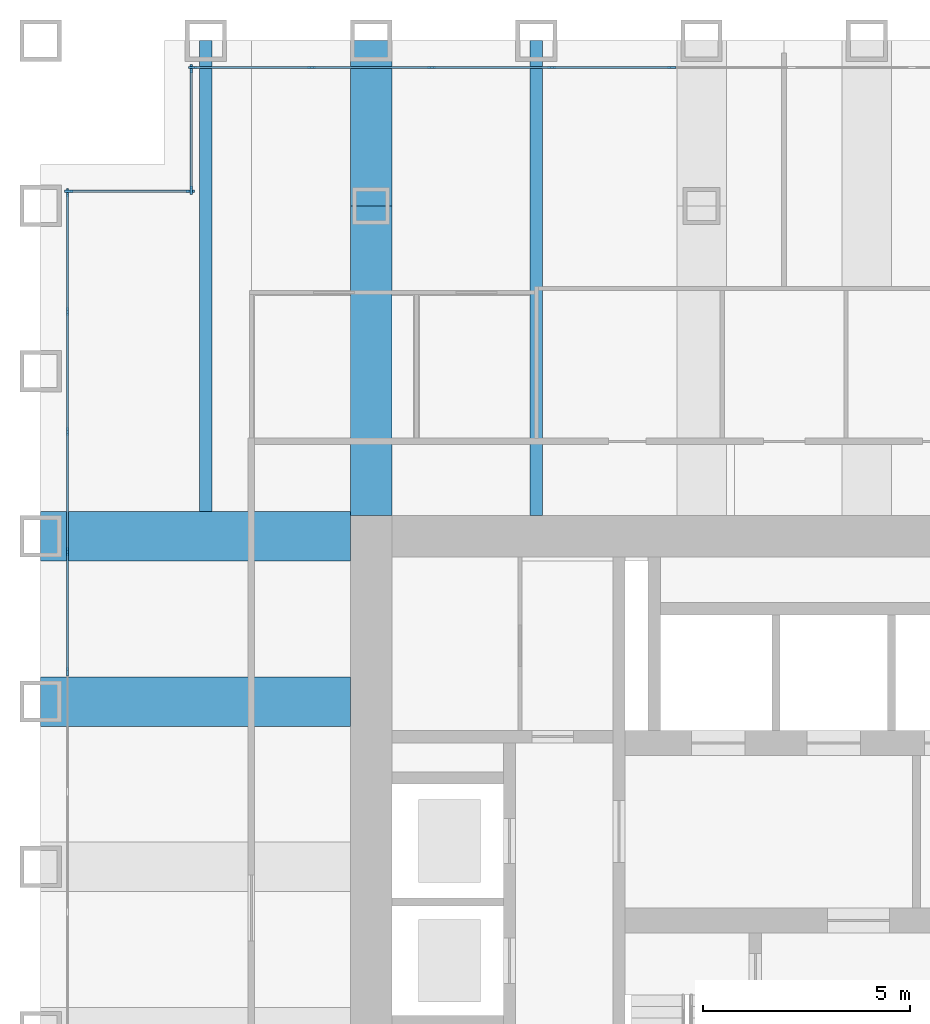
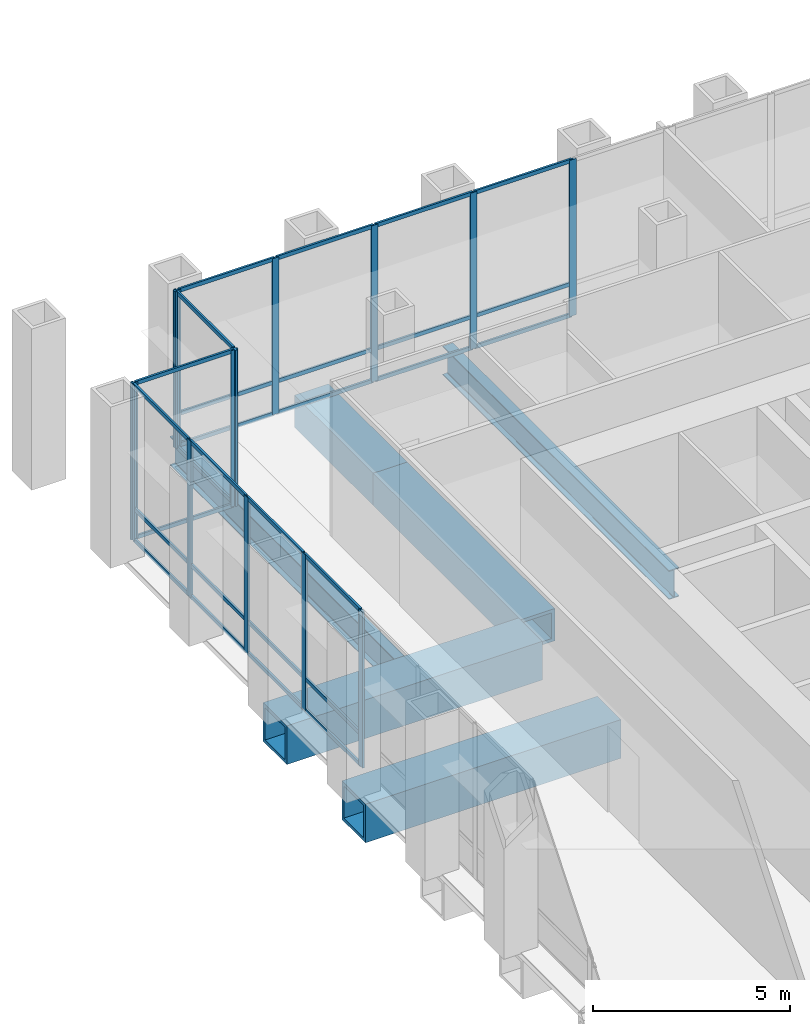
# One storey, part 7 of 16: 42 members, 6 beams, 4 elements without a shape of their own.
"""IFC4 building model written with IfcOpenShell, lengths in metres."""

from ifc_helpers import new_model, si_unit, direction, frame, origin, origin_2d, place, context, subcontext, project, spatial, rectangle, hollow_rectangle, i_section, extrude, material, material_profile, profile_set, type_object, element, aggregate, save


model = new_model("IFC4")

# Units and contexts
model_context = context("Model", 3, precision=1e-05, world=origin(), true_north=direction((0.0, 1.0)))
body_context = subcontext(model_context, "Body", "Model", "MODEL_VIEW")
ifc_project = project(units=[si_unit("LENGTHUNIT", "METRE"), si_unit("AREAUNIT", "SQUARE_METRE"), si_unit("VOLUMEUNIT", "CUBIC_METRE"), si_unit("PLANEANGLEUNIT", "RADIAN"), si_unit("MASSUNIT", "GRAM", prefix="KILO")], contexts=[model_context])

# Site, building, storey
site_placement = place(None, origin())
site = spatial("IfcSite", under=ifc_project, at=site_placement, CompositionType="ELEMENT")
building_placement = place(site_placement, origin())
building = spatial("IfcBuilding", under=site, at=building_placement, Name="Rimbunsela Tower", CompositionType="ELEMENT")
storey_placement = place(building_placement, frame((0.0, 0.0, 76.39990234375)))
storey = spatial("IfcBuildingStorey", under=building, at=storey_placement, Name="L18", CompositionType="ELEMENT", Elevation=76.39990234375)

# Beams
ifc_material_1 = material(Name="Steel BJ 55 (fy 410 MPa)", Category="steel")
ifc_material_profile_1 = material_profile(ifc_material_1, hollow_rectangle(XDim=1.0, YDim=1.0, WallThickness=0.10009765625, at=origin_2d()), Name="BOX 1000x1000x100")
ifc_profile_set_1 = profile_set([ifc_material_profile_1], Name="Steel BJ 55 (fy 410 MPa)")
beam_type_1 = type_object("IfcBeamType", Name="Beam BOX 1000x1000x100", PredefinedType="BEAM", material=ifc_profile_set_1)
beam_1_placement = place(storey_placement, frame((18.0, 36.5, -0.64990234375), z_axis=(0.0, 1.0, 0.0), x_axis=(-1.0, 0.0, 0.0)))
element("IfcBeam", 1, at=beam_1_placement, inside=storey, type_object=beam_type_1, Name="Beam B3 L18", PredefinedType="BEAM", context=body_context, shape_type="SweptSolid", body=[
    extrude(hollow_rectangle(XDim=1.0, YDim=1.0, WallThickness=0.10009765625, at=origin_2d()), origin(), (0.0, 0.0, 1.0), 7.5),
])
beam_2_placement = place(storey_placement, frame((18.0, 44.0, -0.64990234375), z_axis=(0.0, 1.0, 0.0), x_axis=(-1.0, 0.0, 0.0)))
element("IfcBeam", 2, at=beam_2_placement, inside=storey, type_object=beam_type_1, Name="Beam B3 L18", PredefinedType="BEAM", context=body_context, shape_type="SweptSolid", body=[
    extrude(hollow_rectangle(XDim=1.0, YDim=1.0, WallThickness=0.10009765625, at=origin_2d()), origin(), (0.0, 0.0, 1.0), 4.0),
])
ifc_material_2 = material(Name="Steel BJ 55 (fy 410 MPa)", Category="steel")
ifc_material_profile_2 = material_profile(ifc_material_2, hollow_rectangle(XDim=1.199951171875, YDim=1.199951171875, WallThickness=0.10009765625, at=origin_2d()), Name="BOX 1200x1200x100")
ifc_profile_set_2 = profile_set([ifc_material_profile_2], Name="Steel BJ 55 (fy 410 MPa)")
beam_type_2 = type_object("IfcBeamType", Name="Beam BOX 1200x1200x100", PredefinedType="BEAM", material=ifc_profile_set_2)
for number, where, z_axis, x_axis, name in (
    (3, (10.0, 32.0, -0.75), (1.0, 0.0, 0.0), (0.0, 1.0, 0.0), "Beam B5 L18"),
    (4, (10.0, 36.0, -0.75), (1.0, 0.0, 0.0), (0.0, 1.0, 0.0), "Beam B5 L18"),
):
    element("IfcBeam", number, at=place(storey_placement, frame(where, z_axis=z_axis, x_axis=x_axis)), inside=storey, type_object=beam_type_2, Name=name, PredefinedType="BEAM", context=body_context, shape_type="SweptSolid", body=[
        extrude(hollow_rectangle(XDim=1.199951171875, YDim=1.199951171875, WallThickness=0.10009765625, at=origin_2d()), origin(), (0.0, 0.0, 1.0), 7.5),
    ])
ifc_material_3 = material(Name="Steel BJ 55 (fy 410 MPa)", Category="steel")
ifc_material_profile_3 = material_profile(ifc_material_3, i_section(OverallWidth=0.300048828125, OverallDepth=0.89990234375, WebThickness=0.01611328125, FlangeThickness=0.028076171875, FilletRadius=0.028076171875, at=origin_2d()), Name="H 900x300x16x28")
ifc_profile_set_3 = profile_set([ifc_material_profile_3], Name="Steel BJ 55 (fy 410 MPa)")
beam_type_3 = type_object("IfcBeamType", Name="Beam H 900x300x16x28", PredefinedType="BEAM", material=ifc_profile_set_3)
beam_3_placement = place(storey_placement, frame((14.0, 36.60009765625, -0.599853515625), z_axis=(0.0, 1.0, 0.0), x_axis=(-1.0, 0.0, 0.0)))
element("IfcBeam", 5, at=beam_3_placement, inside=storey, type_object=beam_type_3, Name="Beam B2 L18", PredefinedType="BEAM", context=body_context, shape_type="SweptSolid", body=[
    extrude(i_section(OverallWidth=0.300048828125, OverallDepth=0.89990234375, WebThickness=0.01611328125, FlangeThickness=0.028076171875, FilletRadius=0.028076171875, at=origin_2d()), origin(), (0.0, 0.0, 1.0), 11.39990234375),
])
beam_4_placement = place(storey_placement, frame((22.0, 36.5, -0.599853515625), z_axis=(0.0, 1.0, 0.0), x_axis=(-1.0, 0.0, 0.0)))
element("IfcBeam", 6, at=beam_4_placement, inside=storey, type_object=beam_type_3, Name="Beam B2 L18", PredefinedType="BEAM", context=body_context, shape_type="SweptSolid", body=[
    extrude(i_section(OverallWidth=0.300048828125, OverallDepth=0.89990234375, WebThickness=0.01611328125, FlangeThickness=0.028076171875, FilletRadius=0.028076171875, at=origin_2d()), origin(), (0.0, 0.0, 1.0), 11.5),
])

# Curtain wall, members
ifc_material_4 = material(Name="Aluminium curtain wall", Category="aluminium")
curtain_wall_type_1 = type_object("IfcCurtainWallType", Name="Sky lobby glazing", PredefinedType="USERDEFINED", material=ifc_material_4)
curtain_wall_1_placement = place(storey_placement, origin())
curtain_wall_1 = element("IfcCurtainWall", 7, at=curtain_wall_1_placement, inside=storey, type_object=curtain_wall_type_1, Name="Sky lobby glazing L18", ObjectType="SKY LOBBY GLAZING", PredefinedType="USERDEFINED")
ifc_material_5 = material(Name="Aluminium mullion", Category="aluminium")
ifc_material_profile_4 = material_profile(ifc_material_5, rectangle(XDim=0.06005859375, YDim=0.199951171875, at=origin_2d()), Name="Mullion 60x200")
ifc_profile_set_4 = profile_set([ifc_material_profile_4], Name="Aluminium mullion")
member_type_1 = type_object("IfcMemberType", Name="Curtain wall mullion 60x200", PredefinedType="MULLION", material=ifc_profile_set_4)
member_1_placement = place(storey_placement, frame((25.278564453125, 47.35009765625, 0.0), z_axis=(0.0, 0.0, 1.0), x_axis=(0.0, -1.0, 0.0)))
member_1 = element("IfcMember", 8, at=member_1_placement, type_object=member_type_1, Name="CW4 mullion 11", PredefinedType="MULLION", context=body_context, shape_type="SweptSolid", body=[
    extrude(rectangle(XDim=0.06005859375, YDim=0.199951171875, at=origin_2d()), origin(), (0.0, 0.0, 1.0), 4.85009765625),
])
member_2_placement = place(storey_placement, frame((22.371337890625, 47.35009765625, 0.0), z_axis=(0.0, 0.0, 1.0), x_axis=(0.0, -1.0, 0.0)))
member_2 = element("IfcMember", 9, at=member_2_placement, type_object=member_type_1, Name="CW4 mullion 12", PredefinedType="MULLION", context=body_context, shape_type="SweptSolid", body=[
    extrude(rectangle(XDim=0.06005859375, YDim=0.199951171875, at=origin_2d()), origin(), (0.0, 0.0, 1.0), 4.85009765625),
])
member_3_placement = place(storey_placement, frame((19.46435546875, 47.35009765625, 0.0), z_axis=(0.0, 0.0, 1.0), x_axis=(0.0, -1.0, 0.0)))
member_3 = element("IfcMember", 10, at=member_3_placement, type_object=member_type_1, Name="CW4 mullion 13", PredefinedType="MULLION", context=body_context, shape_type="SweptSolid", body=[
    extrude(rectangle(XDim=0.06005859375, YDim=0.199951171875, at=origin_2d()), origin(), (0.0, 0.0, 1.0), 4.85009765625),
])
member_4_placement = place(storey_placement, frame((16.55712890625, 47.35009765625, 0.0), z_axis=(0.0, 0.0, 1.0), x_axis=(0.0, -1.0, 0.0)))
member_4 = element("IfcMember", 11, at=member_4_placement, type_object=member_type_1, Name="CW4 mullion 14", PredefinedType="MULLION", context=body_context, shape_type="SweptSolid", body=[
    extrude(rectangle(XDim=0.06005859375, YDim=0.199951171875, at=origin_2d()), origin(), (0.0, 0.0, 1.0), 4.85009765625),
])
member_5_placement = place(storey_placement, frame((13.679931640625, 47.35009765625, 0.0), z_axis=(0.0, 0.0, 1.0), x_axis=(0.0, -1.0, 0.0)))
member_5 = element("IfcMember", 12, at=member_5_placement, type_object=member_type_1, Name="CW4 mullion 15", PredefinedType="MULLION", context=body_context, shape_type="SweptSolid", body=[
    extrude(rectangle(XDim=0.06005859375, YDim=0.199951171875, at=origin_2d()), origin(), (0.0, 0.0, 1.0), 4.85009765625),
])

ifc_material_6 = material(Name="Aluminium curtain wall", Category="aluminium")
curtain_wall_type_2 = type_object("IfcCurtainWallType", Name="Corner glazing", PredefinedType="USERDEFINED", material=ifc_material_6)
curtain_wall_2_placement = place(storey_placement, origin())
curtain_wall_2 = element("IfcCurtainWall", 13, at=curtain_wall_2_placement, inside=storey, type_object=curtain_wall_type_2, Name="Corner glazing L18", ObjectType="CORNER GLAZING", PredefinedType="USERDEFINED")
member_6_placement = place(storey_placement, frame((13.64990234375, 47.320068359375, 0.0), z_axis=(0.0, 0.0, 1.0), x_axis=(1.0, 0.0, 0.0)))
member_6 = element("IfcMember", 14, at=member_6_placement, type_object=member_type_1, Name="CW5 mullion 1", PredefinedType="MULLION", context=body_context, shape_type="SweptSolid", body=[
    extrude(rectangle(XDim=0.06005859375, YDim=0.199951171875, at=origin_2d()), origin(), (0.0, 0.0, 1.0), 4.85009765625),
])
member_7_placement = place(storey_placement, frame((13.64990234375, 44.3798828125, 0.0), z_axis=(0.0, 0.0, 1.0), x_axis=(1.0, 0.0, 0.0)))
member_7 = element("IfcMember", 15, at=member_7_placement, type_object=member_type_1, Name="CW5 mullion 2", PredefinedType="MULLION", context=body_context, shape_type="SweptSolid", body=[
    extrude(rectangle(XDim=0.06005859375, YDim=0.199951171875, at=origin_2d()), origin(), (0.0, 0.0, 1.0), 4.85009765625),
])

curtain_wall_3_placement = place(storey_placement, origin())
curtain_wall_3 = element("IfcCurtainWall", 16, at=curtain_wall_3_placement, inside=storey, type_object=curtain_wall_type_2, Name="Corner glazing L18", ObjectType="CORNER GLAZING", PredefinedType="USERDEFINED")
member_8_placement = place(storey_placement, frame((13.6201171875, 44.35009765625, 0.0), z_axis=(0.0, 0.0, 1.0), x_axis=(0.0, -1.0, 0.0)))
member_8 = element("IfcMember", 17, at=member_8_placement, type_object=member_type_1, Name="CW5 mullion 1", PredefinedType="MULLION", context=body_context, shape_type="SweptSolid", body=[
    extrude(rectangle(XDim=0.06005859375, YDim=0.199951171875, at=origin_2d()), origin(), (0.0, 0.0, 1.0), 4.85009765625),
])
member_9_placement = place(storey_placement, frame((10.679931640625, 44.35009765625, 0.0), z_axis=(0.0, 0.0, 1.0), x_axis=(0.0, -1.0, 0.0)))
member_9 = element("IfcMember", 18, at=member_9_placement, type_object=member_type_1, Name="CW5 mullion 2", PredefinedType="MULLION", context=body_context, shape_type="SweptSolid", body=[
    extrude(rectangle(XDim=0.06005859375, YDim=0.199951171875, at=origin_2d()), origin(), (0.0, 0.0, 1.0), 4.85009765625),
])

curtain_wall_4_placement = place(storey_placement, origin())
curtain_wall_4 = element("IfcCurtainWall", 19, at=curtain_wall_4_placement, inside=storey, type_object=curtain_wall_type_1, Name="Sky lobby glazing L18", ObjectType="SKY LOBBY GLAZING", PredefinedType="USERDEFINED")
member_10_placement = place(storey_placement, frame((10.64990234375, 44.320068359375, 0.0), z_axis=(0.0, 0.0, 1.0), x_axis=(1.0, 0.0, 0.0)))
member_10 = element("IfcMember", 20, at=member_10_placement, type_object=member_type_1, Name="CW4 mullion 1", PredefinedType="MULLION", context=body_context, shape_type="SweptSolid", body=[
    extrude(rectangle(XDim=0.06005859375, YDim=0.199951171875, at=origin_2d()), origin(), (0.0, 0.0, 1.0), 4.85009765625),
])
member_11_placement = place(storey_placement, frame((10.64990234375, 41.44287109375, 0.0), z_axis=(0.0, 0.0, 1.0), x_axis=(1.0, 0.0, 0.0)))
member_11 = element("IfcMember", 21, at=member_11_placement, type_object=member_type_1, Name="CW4 mullion 2", PredefinedType="MULLION", context=body_context, shape_type="SweptSolid", body=[
    extrude(rectangle(XDim=0.06005859375, YDim=0.199951171875, at=origin_2d()), origin(), (0.0, 0.0, 1.0), 4.85009765625),
])
member_12_placement = place(storey_placement, frame((10.64990234375, 38.53564453125, 0.0), z_axis=(0.0, 0.0, 1.0), x_axis=(1.0, 0.0, 0.0)))
member_12 = element("IfcMember", 22, at=member_12_placement, type_object=member_type_1, Name="CW4 mullion 3", PredefinedType="MULLION", context=body_context, shape_type="SweptSolid", body=[
    extrude(rectangle(XDim=0.06005859375, YDim=0.199951171875, at=origin_2d()), origin(), (0.0, 0.0, 1.0), 4.85009765625),
])
member_13_placement = place(storey_placement, frame((10.64990234375, 35.628662109375, 0.0), z_axis=(0.0, 0.0, 1.0), x_axis=(1.0, 0.0, 0.0)))
member_13 = element("IfcMember", 23, at=member_13_placement, type_object=member_type_1, Name="CW4 mullion 4", PredefinedType="MULLION", context=body_context, shape_type="SweptSolid", body=[
    extrude(rectangle(XDim=0.06005859375, YDim=0.199951171875, at=origin_2d()), origin(), (0.0, 0.0, 1.0), 4.85009765625),
])
member_14_placement = place(storey_placement, frame((10.64990234375, 32.721435546875, 0.0), z_axis=(0.0, 0.0, 1.0), x_axis=(1.0, 0.0, 0.0)))
member_14 = element("IfcMember", 24, at=member_14_placement, type_object=member_type_1, Name="CW4 mullion 5", PredefinedType="MULLION", context=body_context, shape_type="SweptSolid", body=[
    extrude(rectangle(XDim=0.06005859375, YDim=0.199951171875, at=origin_2d()), origin(), (0.0, 0.0, 1.0), 4.85009765625),
])

# Member
ifc_material_7 = material(Name="Aluminium transom", Category="aluminium")
ifc_material_profile_5 = material_profile(ifc_material_7, rectangle(XDim=0.06005859375, YDim=0.1201171875, at=origin_2d()), Name="Transom 60x120")
ifc_profile_set_5 = profile_set([ifc_material_profile_5], Name="Aluminium transom")
member_type_2 = type_object("IfcMemberType", Name="Curtain wall transom 60x120", PredefinedType="USERDEFINED", material=ifc_profile_set_5)
member_15_placement = place(storey_placement, frame((25.24853515625, 47.35009765625, 0.030029296875), z_axis=(-1.0, 0.0, 0.0), x_axis=(0.0, -1.0, 0.0)))
member_15 = element("IfcMember", 25, at=member_15_placement, type_object=member_type_2, Name="CW4 transom 11.1", ObjectType="TRANSOM", PredefinedType="USERDEFINED", context=body_context, shape_type="SweptSolid", body=[
    extrude(rectangle(XDim=0.06005859375, YDim=0.1201171875, at=origin_2d()), origin(), (0.0, 0.0, 1.0), 2.84716796875),
])

member_16_placement = place(storey_placement, frame((25.24853515625, 47.35009765625, 1.0), z_axis=(-1.0, 0.0, 0.0), x_axis=(0.0, -1.0, 0.0)))
member_16 = element("IfcMember", 26, at=member_16_placement, type_object=member_type_2, Name="CW4 transom 11.2", ObjectType="TRANSOM", PredefinedType="USERDEFINED", context=body_context, shape_type="SweptSolid", body=[
    extrude(rectangle(XDim=0.06005859375, YDim=0.1201171875, at=origin_2d()), origin(), (0.0, 0.0, 1.0), 2.84716796875),
])

member_17_placement = place(storey_placement, frame((25.24853515625, 47.35009765625, 4.820068359375), z_axis=(-1.0, 0.0, 0.0), x_axis=(0.0, -1.0, 0.0)))
member_17 = element("IfcMember", 27, at=member_17_placement, type_object=member_type_2, Name="CW4 transom 11.3", ObjectType="TRANSOM", PredefinedType="USERDEFINED", context=body_context, shape_type="SweptSolid", body=[
    extrude(rectangle(XDim=0.06005859375, YDim=0.1201171875, at=origin_2d()), origin(), (0.0, 0.0, 1.0), 2.84716796875),
])

member_18_placement = place(storey_placement, frame((22.34130859375, 47.35009765625, 0.030029296875), z_axis=(-1.0, 0.0, 0.0), x_axis=(0.0, -1.0, 0.0)))
member_18 = element("IfcMember", 28, at=member_18_placement, type_object=member_type_2, Name="CW4 transom 12.1", ObjectType="TRANSOM", PredefinedType="USERDEFINED", context=body_context, shape_type="SweptSolid", body=[
    extrude(rectangle(XDim=0.06005859375, YDim=0.1201171875, at=origin_2d()), origin(), (0.0, 0.0, 1.0), 2.846923828125),
])

member_19_placement = place(storey_placement, frame((22.34130859375, 47.35009765625, 1.0), z_axis=(-1.0, 0.0, 0.0), x_axis=(0.0, -1.0, 0.0)))
member_19 = element("IfcMember", 29, at=member_19_placement, type_object=member_type_2, Name="CW4 transom 12.2", ObjectType="TRANSOM", PredefinedType="USERDEFINED", context=body_context, shape_type="SweptSolid", body=[
    extrude(rectangle(XDim=0.06005859375, YDim=0.1201171875, at=origin_2d()), origin(), (0.0, 0.0, 1.0), 2.846923828125),
])

member_20_placement = place(storey_placement, frame((22.34130859375, 47.35009765625, 4.820068359375), z_axis=(-1.0, 0.0, 0.0), x_axis=(0.0, -1.0, 0.0)))
member_20 = element("IfcMember", 30, at=member_20_placement, type_object=member_type_2, Name="CW4 transom 12.3", ObjectType="TRANSOM", PredefinedType="USERDEFINED", context=body_context, shape_type="SweptSolid", body=[
    extrude(rectangle(XDim=0.06005859375, YDim=0.1201171875, at=origin_2d()), origin(), (0.0, 0.0, 1.0), 2.846923828125),
])

member_21_placement = place(storey_placement, frame((19.434326171875, 47.35009765625, 0.030029296875), z_axis=(-1.0, 0.0, 0.0), x_axis=(0.0, -1.0, 0.0)))
member_21 = element("IfcMember", 31, at=member_21_placement, type_object=member_type_2, Name="CW4 transom 13.1", ObjectType="TRANSOM", PredefinedType="USERDEFINED", context=body_context, shape_type="SweptSolid", body=[
    extrude(rectangle(XDim=0.06005859375, YDim=0.1201171875, at=origin_2d()), origin(), (0.0, 0.0, 1.0), 2.84716796875),
])

member_22_placement = place(storey_placement, frame((19.434326171875, 47.35009765625, 1.0), z_axis=(-1.0, 0.0, 0.0), x_axis=(0.0, -1.0, 0.0)))
member_22 = element("IfcMember", 32, at=member_22_placement, type_object=member_type_2, Name="CW4 transom 13.2", ObjectType="TRANSOM", PredefinedType="USERDEFINED", context=body_context, shape_type="SweptSolid", body=[
    extrude(rectangle(XDim=0.06005859375, YDim=0.1201171875, at=origin_2d()), origin(), (0.0, 0.0, 1.0), 2.84716796875),
])

member_23_placement = place(storey_placement, frame((19.434326171875, 47.35009765625, 4.820068359375), z_axis=(-1.0, 0.0, 0.0), x_axis=(0.0, -1.0, 0.0)))
member_23 = element("IfcMember", 33, at=member_23_placement, type_object=member_type_2, Name="CW4 transom 13.3", ObjectType="TRANSOM", PredefinedType="USERDEFINED", context=body_context, shape_type="SweptSolid", body=[
    extrude(rectangle(XDim=0.06005859375, YDim=0.1201171875, at=origin_2d()), origin(), (0.0, 0.0, 1.0), 2.84716796875),
])

member_24_placement = place(storey_placement, frame((16.527099609375, 47.35009765625, 0.030029296875), z_axis=(-1.0, 0.0, 0.0), x_axis=(0.0, -1.0, 0.0)))
member_24 = element("IfcMember", 34, at=member_24_placement, type_object=member_type_2, Name="CW4 transom 14.1", ObjectType="TRANSOM", PredefinedType="USERDEFINED", context=body_context, shape_type="SweptSolid", body=[
    extrude(rectangle(XDim=0.06005859375, YDim=0.1201171875, at=origin_2d()), origin(), (0.0, 0.0, 1.0), 2.817138671875),
])

member_25_placement = place(storey_placement, frame((16.527099609375, 47.35009765625, 1.0), z_axis=(-1.0, 0.0, 0.0), x_axis=(0.0, -1.0, 0.0)))
member_25 = element("IfcMember", 35, at=member_25_placement, type_object=member_type_2, Name="CW4 transom 14.2", ObjectType="TRANSOM", PredefinedType="USERDEFINED", context=body_context, shape_type="SweptSolid", body=[
    extrude(rectangle(XDim=0.06005859375, YDim=0.1201171875, at=origin_2d()), origin(), (0.0, 0.0, 1.0), 2.817138671875),
])

member_26_placement = place(storey_placement, frame((16.527099609375, 47.35009765625, 4.820068359375), z_axis=(-1.0, 0.0, 0.0), x_axis=(0.0, -1.0, 0.0)))
member_26 = element("IfcMember", 36, at=member_26_placement, type_object=member_type_2, Name="CW4 transom 14.3", ObjectType="TRANSOM", PredefinedType="USERDEFINED", context=body_context, shape_type="SweptSolid", body=[
    extrude(rectangle(XDim=0.06005859375, YDim=0.1201171875, at=origin_2d()), origin(), (0.0, 0.0, 1.0), 2.817138671875),
])

aggregate(curtain_wall_1, [member_1, member_2, member_3, member_4, member_5, member_15, member_16, member_17, member_18, member_19, member_20, member_21, member_22, member_23, member_24, member_25, member_26])

member_27_placement = place(storey_placement, frame((13.64990234375, 47.2900390625, 0.030029296875), z_axis=(0.0, -1.0, 0.0), x_axis=(1.0, 0.0, 0.0)))
member_27 = element("IfcMember", 37, at=member_27_placement, type_object=member_type_2, Name="CW5 transom 1.1", ObjectType="TRANSOM", PredefinedType="USERDEFINED", context=body_context, shape_type="SweptSolid", body=[
    extrude(rectangle(XDim=0.06005859375, YDim=0.1201171875, at=origin_2d()), origin(), (0.0, 0.0, 1.0), 2.880126953125),
])

member_28_placement = place(storey_placement, frame((13.64990234375, 47.2900390625, 4.820068359375), z_axis=(0.0, -1.0, 0.0), x_axis=(1.0, 0.0, 0.0)))
member_28 = element("IfcMember", 38, at=member_28_placement, type_object=member_type_2, Name="CW5 transom 1.2", ObjectType="TRANSOM", PredefinedType="USERDEFINED", context=body_context, shape_type="SweptSolid", body=[
    extrude(rectangle(XDim=0.06005859375, YDim=0.1201171875, at=origin_2d()), origin(), (0.0, 0.0, 1.0), 2.880126953125),
])

aggregate(curtain_wall_2, [member_6, member_7, member_27, member_28])

member_29_placement = place(storey_placement, frame((13.590087890625, 44.35009765625, 0.030029296875), z_axis=(-1.0, 0.0, 0.0), x_axis=(0.0, -1.0, 0.0)))
member_29 = element("IfcMember", 39, at=member_29_placement, type_object=member_type_2, Name="CW5 transom 1.1", ObjectType="TRANSOM", PredefinedType="USERDEFINED", context=body_context, shape_type="SweptSolid", body=[
    extrude(rectangle(XDim=0.06005859375, YDim=0.1201171875, at=origin_2d()), origin(), (0.0, 0.0, 1.0), 2.880126953125),
])

member_30_placement = place(storey_placement, frame((13.590087890625, 44.35009765625, 4.820068359375), z_axis=(-1.0, 0.0, 0.0), x_axis=(0.0, -1.0, 0.0)))
member_30 = element("IfcMember", 40, at=member_30_placement, type_object=member_type_2, Name="CW5 transom 1.2", ObjectType="TRANSOM", PredefinedType="USERDEFINED", context=body_context, shape_type="SweptSolid", body=[
    extrude(rectangle(XDim=0.06005859375, YDim=0.1201171875, at=origin_2d()), origin(), (0.0, 0.0, 1.0), 2.880126953125),
])

aggregate(curtain_wall_3, [member_8, member_9, member_29, member_30])

member_31_placement = place(storey_placement, frame((10.64990234375, 44.2900390625, 0.030029296875), z_axis=(0.0, -1.0, 0.0), x_axis=(1.0, 0.0, 0.0)))
member_31 = element("IfcMember", 41, at=member_31_placement, type_object=member_type_2, Name="CW4 transom 1.1", ObjectType="TRANSOM", PredefinedType="USERDEFINED", context=body_context, shape_type="SweptSolid", body=[
    extrude(rectangle(XDim=0.06005859375, YDim=0.1201171875, at=origin_2d()), origin(), (0.0, 0.0, 1.0), 2.817138671875),
])

member_32_placement = place(storey_placement, frame((10.64990234375, 44.2900390625, 1.0), z_axis=(0.0, -1.0, 0.0), x_axis=(1.0, 0.0, 0.0)))
member_32 = element("IfcMember", 42, at=member_32_placement, type_object=member_type_2, Name="CW4 transom 1.2", ObjectType="TRANSOM", PredefinedType="USERDEFINED", context=body_context, shape_type="SweptSolid", body=[
    extrude(rectangle(XDim=0.06005859375, YDim=0.1201171875, at=origin_2d()), origin(), (0.0, 0.0, 1.0), 2.817138671875),
])

member_33_placement = place(storey_placement, frame((10.64990234375, 44.2900390625, 4.820068359375), z_axis=(0.0, -1.0, 0.0), x_axis=(1.0, 0.0, 0.0)))
member_33 = element("IfcMember", 43, at=member_33_placement, type_object=member_type_2, Name="CW4 transom 1.3", ObjectType="TRANSOM", PredefinedType="USERDEFINED", context=body_context, shape_type="SweptSolid", body=[
    extrude(rectangle(XDim=0.06005859375, YDim=0.1201171875, at=origin_2d()), origin(), (0.0, 0.0, 1.0), 2.817138671875),
])

member_34_placement = place(storey_placement, frame((10.64990234375, 41.412841796875, 0.030029296875), z_axis=(0.0, -1.0, 0.0), x_axis=(1.0, 0.0, 0.0)))
member_34 = element("IfcMember", 44, at=member_34_placement, type_object=member_type_2, Name="CW4 transom 2.1", ObjectType="TRANSOM", PredefinedType="USERDEFINED", context=body_context, shape_type="SweptSolid", body=[
    extrude(rectangle(XDim=0.06005859375, YDim=0.1201171875, at=origin_2d()), origin(), (0.0, 0.0, 1.0), 2.84716796875),
])

member_35_placement = place(storey_placement, frame((10.64990234375, 41.412841796875, 1.0), z_axis=(0.0, -1.0, 0.0), x_axis=(1.0, 0.0, 0.0)))
member_35 = element("IfcMember", 45, at=member_35_placement, type_object=member_type_2, Name="CW4 transom 2.2", ObjectType="TRANSOM", PredefinedType="USERDEFINED", context=body_context, shape_type="SweptSolid", body=[
    extrude(rectangle(XDim=0.06005859375, YDim=0.1201171875, at=origin_2d()), origin(), (0.0, 0.0, 1.0), 2.84716796875),
])

member_36_placement = place(storey_placement, frame((10.64990234375, 41.412841796875, 4.820068359375), z_axis=(0.0, -1.0, 0.0), x_axis=(1.0, 0.0, 0.0)))
member_36 = element("IfcMember", 46, at=member_36_placement, type_object=member_type_2, Name="CW4 transom 2.3", ObjectType="TRANSOM", PredefinedType="USERDEFINED", context=body_context, shape_type="SweptSolid", body=[
    extrude(rectangle(XDim=0.06005859375, YDim=0.1201171875, at=origin_2d()), origin(), (0.0, 0.0, 1.0), 2.84716796875),
])

member_37_placement = place(storey_placement, frame((10.64990234375, 38.505615234375, 0.030029296875), z_axis=(0.0, -1.0, 0.0), x_axis=(1.0, 0.0, 0.0)))
member_37 = element("IfcMember", 47, at=member_37_placement, type_object=member_type_2, Name="CW4 transom 3.1", ObjectType="TRANSOM", PredefinedType="USERDEFINED", context=body_context, shape_type="SweptSolid", body=[
    extrude(rectangle(XDim=0.06005859375, YDim=0.1201171875, at=origin_2d()), origin(), (0.0, 0.0, 1.0), 2.846923828125),
])

member_38_placement = place(storey_placement, frame((10.64990234375, 38.505615234375, 1.0), z_axis=(0.0, -1.0, 0.0), x_axis=(1.0, 0.0, 0.0)))
member_38 = element("IfcMember", 48, at=member_38_placement, type_object=member_type_2, Name="CW4 transom 3.2", ObjectType="TRANSOM", PredefinedType="USERDEFINED", context=body_context, shape_type="SweptSolid", body=[
    extrude(rectangle(XDim=0.06005859375, YDim=0.1201171875, at=origin_2d()), origin(), (0.0, 0.0, 1.0), 2.846923828125),
])

member_39_placement = place(storey_placement, frame((10.64990234375, 38.505615234375, 4.820068359375), z_axis=(0.0, -1.0, 0.0), x_axis=(1.0, 0.0, 0.0)))
member_39 = element("IfcMember", 49, at=member_39_placement, type_object=member_type_2, Name="CW4 transom 3.3", ObjectType="TRANSOM", PredefinedType="USERDEFINED", context=body_context, shape_type="SweptSolid", body=[
    extrude(rectangle(XDim=0.06005859375, YDim=0.1201171875, at=origin_2d()), origin(), (0.0, 0.0, 1.0), 2.846923828125),
])

member_40_placement = place(storey_placement, frame((10.64990234375, 35.5986328125, 0.030029296875), z_axis=(0.0, -1.0, 0.0), x_axis=(1.0, 0.0, 0.0)))
member_40 = element("IfcMember", 50, at=member_40_placement, type_object=member_type_2, Name="CW4 transom 4.1", ObjectType="TRANSOM", PredefinedType="USERDEFINED", context=body_context, shape_type="SweptSolid", body=[
    extrude(rectangle(XDim=0.06005859375, YDim=0.1201171875, at=origin_2d()), origin(), (0.0, 0.0, 1.0), 2.84716796875),
])

member_41_placement = place(storey_placement, frame((10.64990234375, 35.5986328125, 1.0), z_axis=(0.0, -1.0, 0.0), x_axis=(1.0, 0.0, 0.0)))
member_41 = element("IfcMember", 51, at=member_41_placement, type_object=member_type_2, Name="CW4 transom 4.2", ObjectType="TRANSOM", PredefinedType="USERDEFINED", context=body_context, shape_type="SweptSolid", body=[
    extrude(rectangle(XDim=0.06005859375, YDim=0.1201171875, at=origin_2d()), origin(), (0.0, 0.0, 1.0), 2.84716796875),
])

member_42_placement = place(storey_placement, frame((10.64990234375, 35.5986328125, 4.820068359375), z_axis=(0.0, -1.0, 0.0), x_axis=(1.0, 0.0, 0.0)))
member_42 = element("IfcMember", 52, at=member_42_placement, type_object=member_type_2, Name="CW4 transom 4.3", ObjectType="TRANSOM", PredefinedType="USERDEFINED", context=body_context, shape_type="SweptSolid", body=[
    extrude(rectangle(XDim=0.06005859375, YDim=0.1201171875, at=origin_2d()), origin(), (0.0, 0.0, 1.0), 2.84716796875),
])

aggregate(curtain_wall_4, [member_10, member_11, member_12, member_13, member_14, member_31, member_32, member_33, member_34, member_35, member_36, member_37, member_38, member_39, member_40, member_41, member_42])

save(model, "model.ifc")
